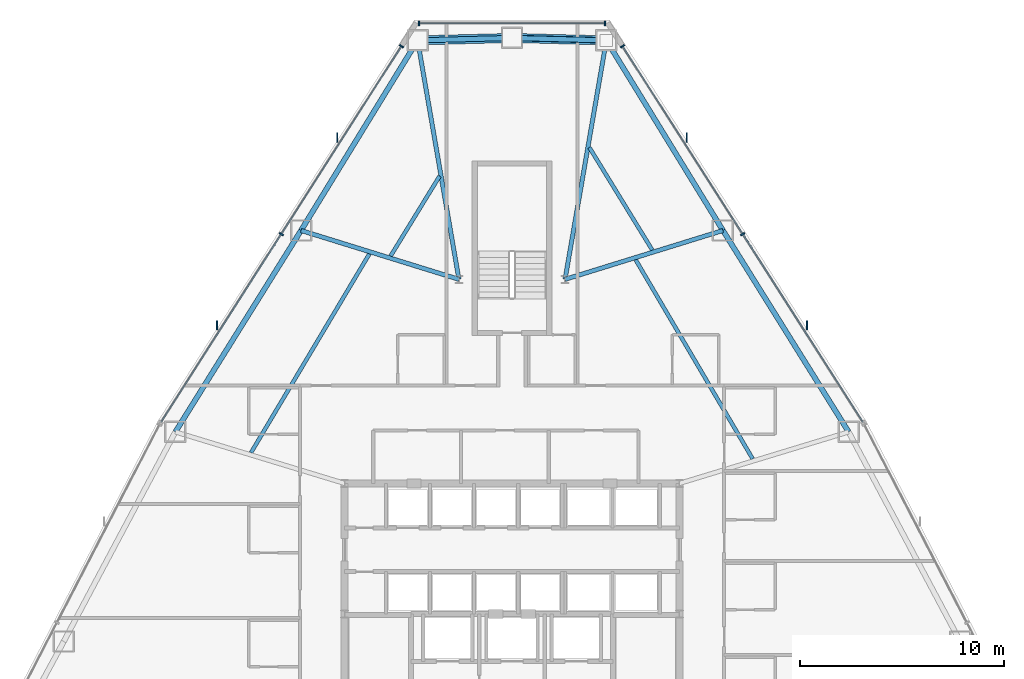
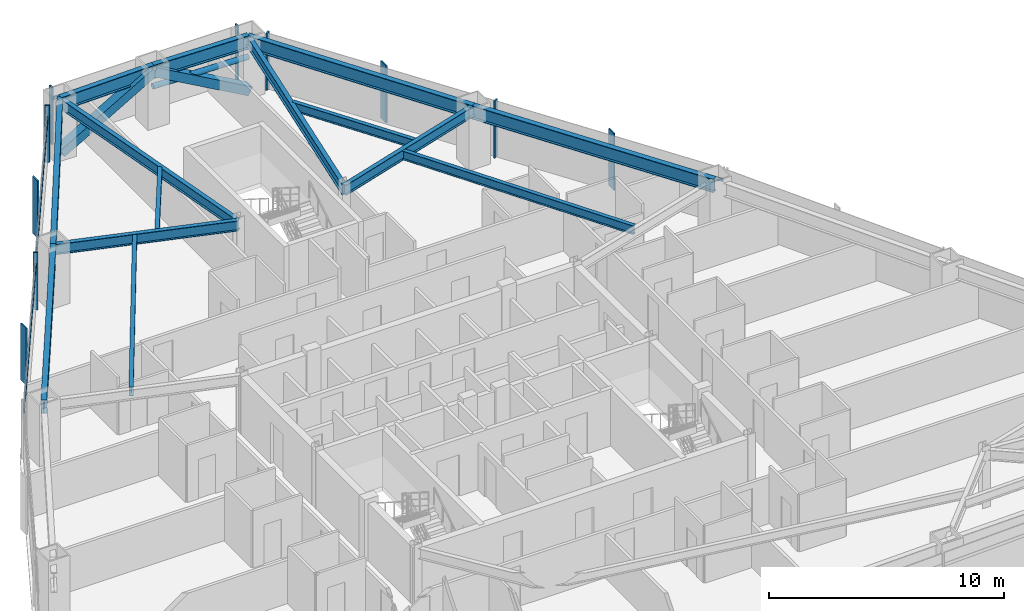
# One storey, part 7 of 13: 16 members, 14 beams, 3 elements without a shape of their own.
"""IFC4 building model written with IfcOpenShell, lengths in metres."""

from ifc_helpers import new_model, si_unit, direction, frame, origin, origin_2d, place, context, subcontext, project, spatial, rectangle, hollow_rectangle, hollow_circle, i_section, extrude, source, transform, mapped, material, layer, layer_set, material_profile, profile_set, type_object, type_shapes, element, aggregate, save


model = new_model("IFC4")

# Units and contexts
model_context = context("Model", 3, precision=1e-05, world=origin(), true_north=direction((0.0, 1.0)))
body_context = subcontext(model_context, "Body", "Model", "MODEL_VIEW")
ifc_project = project(units=[si_unit("LENGTHUNIT", "METRE"), si_unit("AREAUNIT", "SQUARE_METRE"), si_unit("VOLUMEUNIT", "CUBIC_METRE"), si_unit("PLANEANGLEUNIT", "RADIAN"), si_unit("MASSUNIT", "GRAM", prefix="KILO")], contexts=[model_context])

# Site, building, storey
site_placement = place(None, origin())
site = spatial("IfcSite", under=ifc_project, at=site_placement, CompositionType="ELEMENT")
building_placement = place(site_placement, origin())
building = spatial("IfcBuilding", under=site, at=building_placement, Name="Varakhsha Concourse Tower", CompositionType="ELEMENT")
storey_placement = place(building_placement, frame((0.0, 0.0, 86.199951171875)))
storey = spatial("IfcBuildingStorey", under=building, at=storey_placement, Name="L24", CompositionType="ELEMENT", Elevation=86.199951171875)

# Beams
ifc_material_1 = material(Name="Structural Steel ASTM A992 Grade 50", Category="steel")
ifc_material_profile_1 = material_profile(ifc_material_1, i_section(OverallWidth=0.19091796875, OverallDepth=0.45703125, WebThickness=0.009033203125, FlangeThickness=0.013916015625, at=origin_2d()), Name="W18X50")
ifc_profile_set_1 = profile_set([ifc_material_profile_1], Name="Structural Steel ASTM A992 Grade 50")
beam_type_1 = type_object("IfcBeamType", Name="BM-JST-W18X50", PredefinedType="JOIST", material=ifc_profile_set_1)
beam_1_placement = place(storey_placement, frame((36.45166015625, 46.259521484375, 2.741455078125), z_axis=(-0.522781639756, -0.852466631097, 0.0), x_axis=(0.852466631097, -0.522781639756, 0.0)))
element("IfcBeam", 1, at=beam_1_placement, inside=storey, type_object=beam_type_1, Name="BM-TJST-L24-03", PredefinedType="JOIST", context=body_context, shape_type="SweptSolid", body=[
    extrude(i_section(OverallWidth=0.19091796875, OverallDepth=0.45703125, WebThickness=0.009033203125, FlangeThickness=0.013916015625, at=origin_2d()), origin(), (0.0, 0.0, 1.0), 4.58837890625),
])
beam_2_placement = place(storey_placement, frame((33.010498046875, 42.447509765625, 2.741455078125), z_axis=(-0.511661430078, -0.859187162946, 0.0), x_axis=(0.859187162946, -0.511661430078, 0.0)))
element("IfcBeam", 2, at=beam_2_placement, inside=storey, type_object=beam_type_1, Name="BM-TJST-L24-04", PredefinedType="JOIST", context=body_context, shape_type="SweptSolid", body=[
    extrude(i_section(OverallWidth=0.19091796875, OverallDepth=0.45703125, WebThickness=0.009033203125, FlangeThickness=0.013916015625, at=origin_2d()), origin(), (0.0, 0.0, 1.0), 11.335693359375),
])
beam_3_placement = place(storey_placement, frame((51.794677734375, 32.405517578125, 2.741455078125), z_axis=(-0.506799459264, 0.862063981436, 0.0), x_axis=(-0.862063981436, -0.506799459264, 0.0)))
element("IfcBeam", 3, at=beam_3_placement, inside=storey, type_object=beam_type_1, Name="BM-TJST-L24-17", PredefinedType="JOIST", context=body_context, shape_type="SweptSolid", body=[
    extrude(i_section(OverallWidth=0.19091796875, OverallDepth=0.45703125, WebThickness=0.009033203125, FlangeThickness=0.013916015625, at=origin_2d()), origin(), (0.0, 0.0, 1.0), 11.31494140625),
])
beam_4_placement = place(storey_placement, frame((46.875732421875, 42.6357421875, 2.741455078125), z_axis=(-0.522796878119, 0.852457285868, 0.0), x_axis=(-0.852457285868, -0.522796878119, 0.0)))
element("IfcBeam", 4, at=beam_4_placement, inside=storey, type_object=beam_type_1, Name="BM-TJST-L24-18", PredefinedType="JOIST", context=body_context, shape_type="SweptSolid", body=[
    extrude(i_section(OverallWidth=0.19091796875, OverallDepth=0.45703125, WebThickness=0.009033203125, FlangeThickness=0.013916015625, at=origin_2d()), origin(), (0.0, 0.0, 1.0), 5.8994140625),
])
ifc_material_profile_2 = material_profile(ifc_material_1, i_section(OverallWidth=0.2109375, OverallDepth=0.5390625, WebThickness=0.011962890625, FlangeThickness=0.01904296875, at=origin_2d()), Name="W21X73")
ifc_profile_set_2 = profile_set([ifc_material_profile_2], Name="Structural Steel ASTM A992 Grade 50")
beam_type_2 = type_object("IfcBeamType", Name="BM-RAD-W21X73", PredefinedType="BEAM", material=ifc_profile_set_2)
for number, where, z_axis, x_axis, name in (
    (5, (42.60009765625, 41.199951171875, 2.700439453125), (0.170345064454, 0.985384472689, 0.0), (-0.985384472689, 0.170345064454, 0.0), "L24 Radial Floor Girder 01"),
    (6, (37.39990234375, 41.199951171875, 2.700439453125), (-0.170345064454, 0.985384472689, 0.0), (-0.985384472689, -0.170345064454, 0.0), "L24 Radial Floor Girder 03"),
):
    element("IfcBeam", number, at=place(storey_placement, frame(where, z_axis=z_axis, x_axis=x_axis)), inside=storey, type_object=beam_type_2, Name=name, PredefinedType="BEAM", context=body_context, shape_type="SweptSolid", body=[
        extrude(i_section(OverallWidth=0.2109375, OverallDepth=0.5390625, WebThickness=0.011962890625, FlangeThickness=0.01904296875, at=origin_2d()), origin(), (0.0, 0.0, 1.0), 11.8857421875),
    ])
for number, where, z_axis, x_axis, name in (
    (7, (37.39990234375, 41.199951171875, 2.700439453125), (-0.955235202711, 0.295847439573, 0.0), (-0.295847439573, -0.955235202711, 0.0), "L24 Radial Floor Girder 04"),
    (8, (42.60009765625, 41.199951171875, 2.700439453125), (0.955235202711, 0.295847439573, 0.0), (-0.295847439573, 0.955235202711, 0.0), "L24 Radial Floor Girder 18"),
):
    element("IfcBeam", number, at=place(storey_placement, frame(where, z_axis=z_axis, x_axis=x_axis)), inside=storey, type_object=beam_type_2, Name=name, PredefinedType="BEAM", context=body_context, shape_type="SweptSolid", body=[
        extrude(i_section(OverallWidth=0.2109375, OverallDepth=0.5390625, WebThickness=0.011962890625, FlangeThickness=0.01904296875, at=origin_2d()), origin(), (0.0, 0.0, 1.0), 8.100341796875),
    ])
ifc_material_profile_3 = material_profile(ifc_material_1, i_section(OverallWidth=0.25390625, OverallDepth=0.701904296875, WebThickness=0.014892578125, FlangeThickness=0.028076171875, at=origin_2d()), Name="W27X129")
ifc_profile_set_3 = profile_set([ifc_material_profile_3], Name="Structural Steel ASTM A992 Grade 50")
beam_type_3 = type_object("IfcBeamType", Name="BM-SPAN-W27X129", PredefinedType="SPANDREL", material=ifc_profile_set_3)
for number, where, z_axis, x_axis, name in (
    (9, (44.624755859375, 52.911865234375, 2.619140625), (-0.99966833776, 0.025752950896, 0.0), (-0.025752950896, -0.99966833776, 0.0), "BM-SPAN-L24-01"),
    (10, (40.0, 53.031005859375, 2.619140625), (-0.99966833776, -0.025752950896, 0.0), (0.025752950896, -0.99966833776, 0.0), "BM-SPAN-L24-02"),
):
    element("IfcBeam", number, at=place(storey_placement, frame(where, z_axis=z_axis, x_axis=x_axis)), inside=storey, type_object=beam_type_3, Name=name, PredefinedType="SPANDREL", context=body_context, shape_type="SweptSolid", body=[
        extrude(i_section(OverallWidth=0.25390625, OverallDepth=0.701904296875, WebThickness=0.014892578125, FlangeThickness=0.028076171875, at=origin_2d()), origin(), (0.0, 0.0, 1.0), 4.626220703125),
    ])
beam_5_placement = place(storey_placement, frame((35.375244140625, 52.911865234375, 2.619140625), z_axis=(-0.522806691271, -0.852451267559, 0.0), x_axis=(0.852451267559, -0.522806691271, 0.0)))
element("IfcBeam", 11, at=beam_5_placement, inside=storey, type_object=beam_type_3, Name="BM-SPAN-L24-03", PredefinedType="SPANDREL", context=body_context, shape_type="SweptSolid", body=[
    extrude(i_section(OverallWidth=0.25390625, OverallDepth=0.701904296875, WebThickness=0.014892578125, FlangeThickness=0.028076171875, at=origin_2d()), origin(), (0.0, 0.0, 1.0), 10.927734375),
])
for number, where, z_axis, x_axis, name in (
    (12, (29.662109375, 43.596435546875, 2.619140625), (-0.529257520132, -0.848461240944, 0.0), (0.848461240944, -0.529257520132, 0.0), "BM-SPAN-L24-04"),
    (13, (56.49609375, 33.72412109375, 2.619140625), (-0.529257520132, 0.848461240944, 0.0), (-0.848461240944, -0.529257520132, 0.0), "BM-SPAN-L24-17"),
):
    element("IfcBeam", number, at=place(storey_placement, frame(where, z_axis=z_axis, x_axis=x_axis)), inside=storey, type_object=beam_type_3, Name=name, PredefinedType="SPANDREL", context=body_context, shape_type="SweptSolid", body=[
        extrude(i_section(OverallWidth=0.25390625, OverallDepth=0.701904296875, WebThickness=0.014892578125, FlangeThickness=0.028076171875, at=origin_2d()), origin(), (0.0, 0.0, 1.0), 11.635498046875),
    ])
beam_6_placement = place(storey_placement, frame((50.337890625, 43.596435546875, 2.619140625), z_axis=(-0.522806691271, 0.852451267559, 0.0), x_axis=(-0.852451267559, -0.522806691271, 0.0)))
element("IfcBeam", 14, at=beam_6_placement, inside=storey, type_object=beam_type_3, Name="BM-SPAN-L24-18", PredefinedType="SPANDREL", context=body_context, shape_type="SweptSolid", body=[
    extrude(i_section(OverallWidth=0.25390625, OverallDepth=0.701904296875, WebThickness=0.014892578125, FlangeThickness=0.028076171875, at=origin_2d()), origin(), (0.0, 0.0, 1.0), 10.927734375),
])

# Members
ifc_material_2 = material(Name="Structural Steel ASTM A500 Grade C", Category="steel")
ifc_material_profile_4 = material_profile(ifc_material_2, hollow_rectangle(XDim=0.449951171875, YDim=0.449951171875, WallThickness=0.01904296875, at=origin_2d()), Name="HSS 450x450x19")
ifc_profile_set_4 = profile_set([ifc_material_profile_4], Name="Structural Steel ASTM A500 Grade C")
member_type_1 = type_object("IfcMemberType", Name="MB-TUBE-HSS450", PredefinedType="BRACE", material=ifc_profile_set_4)
shared_shape_1 = source(origin(), body_context, "Body", "SweptSolid", [
    extrude(hollow_rectangle(XDim=0.449951171875, YDim=0.449951171875, WallThickness=0.01904296875, at=origin_2d()), origin(), (0.0, 0.0, 1.0), 5.282470703125),
])
type_shapes(member_type_1, [shared_shape_1])
for number, where, z_axis, x_axis, name in (
    (15, (44.624755859375, 52.911865234375, 0.1201171875), (-0.875478294979, 0.022553629729, 0.482730865811), (-0.025752950896, -0.99966833776, 0.0), "L24 Wind-Corner Tube Brace B01"),
    (16, (35.375244140625, 52.911865234375, 0.1201171875), (0.875478294979, 0.022553629729, 0.482730865811), (-0.025752950896, 0.99966833776, 0.0), "L24 Wind-Corner Tube Brace B02"),
):
    element("IfcMember", number, at=place(storey_placement, frame(where, z_axis=z_axis, x_axis=x_axis)), inside=storey, type_object=member_type_1, Name=name, PredefinedType="BRACE", context=body_context, shape_type="MappedRepresentation", body=[
        mapped(shared_shape_1, transform((0.0, 0.0, 0.0), scale=1.0)),
    ])
ifc_material_profile_5 = material_profile(ifc_material_2, hollow_circle(Radius=0.136474609375, WallThickness=0.011962890625, at=origin_2d()), Name="CHS 273x12")
ifc_profile_set_5 = profile_set([ifc_material_profile_5], Name="Structural Steel ASTM A500 Grade C")
member_type_2 = type_object("IfcMemberType", Name="MB-WIND-CHS273", PredefinedType="COLLAR", material=ifc_profile_set_5)
shared_shape_2 = source(origin(), body_context, "Body", "SweptSolid", [
    extrude(hollow_circle(Radius=0.136474609375, WallThickness=0.011962890625, at=origin_2d()), origin(), (0.0, 0.0, 1.0), 4.626220703125),
])
type_shapes(member_type_2, [shared_shape_2])
member_1_placement = place(storey_placement, frame((44.624755859375, 52.911865234375, 1.800048828125), z_axis=(-0.99966833776, 0.025752950896, 0.0), x_axis=(-0.025752950896, -0.99966833776, 0.0)))
element("IfcMember", 17, at=member_1_placement, inside=storey, type_object=member_type_2, Name="L24 Wind-Corner Collar Tie 1", PredefinedType="COLLAR", context=body_context, shape_type="MappedRepresentation", body=[
    mapped(shared_shape_2, transform((0.0, 0.0, 0.0), scale=1.0)),
])

# Curtain wall, members
ifc_material_3 = material(Name="Anodised Bronze Architectural Aluminium AA 6063-T6", Category="aluminium")
ifc_layer = layer(ifc_material_3, 0.199951171875, Name="CW-SYS-03")
ifc_layer_set = layer_set([ifc_layer], Name="Anodised Bronze Architectural Aluminium AA 6063-T6")
curtain_wall_type = type_object("IfcCurtainWallType", Name="CW-SYS-03", PredefinedType="NOTDEFINED", material=ifc_layer_set)
curtain_wall_1_placement = place(storey_placement, origin())
curtain_wall_1 = element("IfcCurtainWall", 18, at=curtain_wall_1_placement, inside=storey, type_object=curtain_wall_type, Name="L24 Chamfer Curtain Wall F1", PredefinedType="NOTDEFINED")
ifc_material_profile_6 = material_profile(ifc_material_3, rectangle(XDim=0.074951171875, YDim=0.219970703125, at=origin_2d()), Name="CWM-220X75")
ifc_profile_set_6 = profile_set([ifc_material_profile_6], Name="Anodised Bronze Architectural Aluminium AA 6063-T6")
member_type_3 = type_object("IfcMemberType", Name="CWM-220X75", PredefinedType="MULLION", material=ifc_profile_set_6)
shared_shape_3 = source(origin(), body_context, "Body", "SweptSolid", [
    extrude(rectangle(XDim=0.074951171875, YDim=0.219970703125, at=origin_2d()), origin(), (0.0, 0.0, 1.0), 2.969970703125),
])
type_shapes(member_type_3, [shared_shape_3])
member_2_placement = place(storey_placement, frame((35.434326171875, 53.7509765625, 0.0), z_axis=(0.0, 0.0, 1.0), x_axis=(1.0, 0.0, 0.0)))
member_2 = element("IfcMember", 19, at=member_2_placement, type_object=member_type_3, Name="CW-L24-F1 Mullion 00", PredefinedType="MULLION", context=body_context, shape_type="MappedRepresentation", body=[
    mapped(shared_shape_3, transform((0.0, 0.0, 0.0), scale=1.0)),
])
member_3_placement = place(storey_placement, frame((44.565673828125, 53.7509765625, 0.0), z_axis=(0.0, 0.0, 1.0), x_axis=(1.0, 0.0, 0.0)))
member_3 = element("IfcMember", 20, at=member_3_placement, type_object=member_type_3, Name="CW-L24-F1 Mullion 01", PredefinedType="MULLION", context=body_context, shape_type="MappedRepresentation", body=[
    mapped(shared_shape_3, transform((0.0, 0.0, 0.0), scale=1.0)),
])

curtain_wall_2_placement = place(storey_placement, origin())
curtain_wall_2 = element("IfcCurtainWall", 21, at=curtain_wall_2_placement, inside=storey, type_object=curtain_wall_type, Name="L24 Crystal Curtain Wall F2", PredefinedType="NOTDEFINED")
member_4_placement = place(storey_placement, frame((28.694580078125, 43.419921875, 0.0), z_axis=(0.0, 0.0, 1.0), x_axis=(0.538786958833, 0.842442053195, 0.0)))
member_4 = element("IfcMember", 22, at=member_4_placement, type_object=member_type_3, Name="CW-L24-F2 Mullion 01", PredefinedType="MULLION", context=body_context, shape_type="MappedRepresentation", body=[
    mapped(shared_shape_3, transform((0.0, 0.0, 0.0), scale=1.0)),
])
member_5_placement = place(storey_placement, frame((34.583984375, 52.62841796875, 0.0), z_axis=(0.0, 0.0, 1.0), x_axis=(0.538786958833, 0.842442053195, 0.0)))
member_5 = element("IfcMember", 23, at=member_5_placement, type_object=member_type_3, Name="CW-L24-F2 Mullion 02", PredefinedType="MULLION", context=body_context, shape_type="MappedRepresentation", body=[
    mapped(shared_shape_3, transform((0.0, 0.0, 0.0), scale=1.0)),
])

curtain_wall_3_placement = place(storey_placement, origin())
curtain_wall_3 = element("IfcCurtainWall", 24, at=curtain_wall_3_placement, inside=storey, type_object=curtain_wall_type, Name="L24 Crystal Curtain Wall F9", PredefinedType="NOTDEFINED")
member_6_placement = place(storey_placement, frame((45.416015625, 52.62841796875, 0.0), z_axis=(0.0, 0.0, 1.0), x_axis=(0.538786958833, -0.842442053195, 0.0)))
member_6 = element("IfcMember", 25, at=member_6_placement, type_object=member_type_3, Name="CW-L24-F9 Mullion 00", PredefinedType="MULLION", context=body_context, shape_type="MappedRepresentation", body=[
    mapped(shared_shape_3, transform((0.0, 0.0, 0.0), scale=1.0)),
])
member_7_placement = place(storey_placement, frame((51.305419921875, 43.419921875, 0.0), z_axis=(0.0, 0.0, 1.0), x_axis=(0.538786958833, -0.842442053195, 0.0)))
member_7 = element("IfcMember", 26, at=member_7_placement, type_object=member_type_3, Name="CW-L24-F9 Mullion 01", PredefinedType="MULLION", context=body_context, shape_type="MappedRepresentation", body=[
    mapped(shared_shape_3, transform((0.0, 0.0, 0.0), scale=1.0)),
])

# Member
ifc_material_profile_7 = material_profile(ifc_material_3, rectangle(XDim=0.06494140625, YDim=0.449951171875, at=origin_2d()), Name="FIN-BRZ-450")
ifc_profile_set_7 = profile_set([ifc_material_profile_7], Name="Anodised Bronze Architectural Aluminium AA 6063-T6")
member_type_4 = type_object("IfcMemberType", Name="FIN-BRZ-450", PredefinedType="USERDEFINED", material=ifc_profile_set_7)
shared_shape_4 = source(origin(), body_context, "Body", "SweptSolid", [
    extrude(rectangle(XDim=0.06494140625, YDim=0.449951171875, at=origin_2d()), origin(), (0.0, 0.0, 1.0), 2.969970703125),
])
type_shapes(member_type_4, [shared_shape_4])
member_8_placement = place(storey_placement, frame((25.5478515625, 38.94482421875, 0.0), z_axis=(0.0, 0.0, 1.0), x_axis=(1.0, 0.0, 0.0)))
member_8 = element("IfcMember", 27, at=member_8_placement, type_object=member_type_4, Name="L24 Anodised Bronze Solar Fin F2-1", ObjectType="SOLAR FIN", PredefinedType="USERDEFINED", context=body_context, shape_type="MappedRepresentation", body=[
    mapped(shared_shape_4, transform((0.0, 0.0, 0.0), scale=1.0)),
])

member_9_placement = place(storey_placement, frame((31.437255859375, 48.153564453125, 0.0), z_axis=(0.0, 0.0, 1.0), x_axis=(1.0, 0.0, 0.0)))
member_9 = element("IfcMember", 28, at=member_9_placement, type_object=member_type_4, Name="L24 Anodised Bronze Solar Fin F2-2", ObjectType="SOLAR FIN", PredefinedType="USERDEFINED", context=body_context, shape_type="MappedRepresentation", body=[
    mapped(shared_shape_4, transform((0.0, 0.0, 0.0), scale=1.0)),
])

member_10_placement = place(storey_placement, frame((48.562744140625, 48.153564453125, 0.0), z_axis=(0.0, 0.0, 1.0), x_axis=(1.0, 0.0, 0.0)))
member_10 = element("IfcMember", 29, at=member_10_placement, type_object=member_type_4, Name="L24 Anodised Bronze Solar Fin F9-1", ObjectType="SOLAR FIN", PredefinedType="USERDEFINED", context=body_context, shape_type="MappedRepresentation", body=[
    mapped(shared_shape_4, transform((0.0, 0.0, 0.0), scale=1.0)),
])

member_11_placement = place(storey_placement, frame((54.4521484375, 38.94482421875, 0.0), z_axis=(0.0, 0.0, 1.0), x_axis=(1.0, 0.0, 0.0)))
member_11 = element("IfcMember", 30, at=member_11_placement, type_object=member_type_4, Name="L24 Anodised Bronze Solar Fin F9-2", ObjectType="SOLAR FIN", PredefinedType="USERDEFINED", context=body_context, shape_type="MappedRepresentation", body=[
    mapped(shared_shape_4, transform((0.0, 0.0, 0.0), scale=1.0)),
])

ifc_material_profile_8 = material_profile(ifc_material_3, rectangle(XDim=0.06494140625, YDim=0.159912109375, at=origin_2d()), Name="CWT-160X65")
ifc_profile_set_8 = profile_set([ifc_material_profile_8], Name="Anodised Bronze Architectural Aluminium AA 6063-T6")
member_type_5 = type_object("IfcMemberType", Name="CWT-160X65", PredefinedType="USERDEFINED", material=ifc_profile_set_8)
shared_shape_5 = source(origin(), body_context, "Body", "SweptSolid", [
    extrude(rectangle(XDim=0.06494140625, YDim=0.159912109375, at=origin_2d()), origin(), (0.0, 0.0, 1.0), 9.13134765625),
])
member_12_placement = place(storey_placement, frame((35.434326171875, 53.7509765625, 2.320068359375), z_axis=(1.0, 0.0, 0.0), x_axis=(0.0, 1.0, 0.0)))
member_12 = element("IfcMember", 31, at=member_12_placement, type_object=member_type_5, Name="CW-L24-F1 Transom 01", ObjectType="TRANSOM", PredefinedType="USERDEFINED", context=body_context, shape_type="MappedRepresentation", body=[
    mapped(shared_shape_5, transform((0.0, 0.0, 0.0), scale=1.0)),
])

aggregate(curtain_wall_1, [member_2, member_3, member_12])

shared_shape_6 = source(origin(), body_context, "Body", "SweptSolid", [
    extrude(rectangle(XDim=0.06494140625, YDim=0.159912109375, at=origin_2d()), origin(), (0.0, 0.0, 1.0), 21.861572265625),
])
type_shapes(member_type_5, [shared_shape_5, shared_shape_6])
member_13_placement = place(storey_placement, frame((22.805419921875, 34.211181640625, 2.320068359375), z_axis=(0.538778915353, 0.842447197378, 0.0), x_axis=(-0.842447197378, 0.538778915353, 0.0)))
member_13 = element("IfcMember", 32, at=member_13_placement, type_object=member_type_5, Name="CW-L24-F2 Transom 01", ObjectType="TRANSOM", PredefinedType="USERDEFINED", context=body_context, shape_type="MappedRepresentation", body=[
    mapped(shared_shape_6, transform((0.0, 0.0, 0.0), scale=1.0)),
])

aggregate(curtain_wall_2, [member_4, member_5, member_13, member_8, member_9])

member_14_placement = place(storey_placement, frame((45.416015625, 52.62841796875, 2.320068359375), z_axis=(0.538778915353, -0.842447197378, 0.0), x_axis=(0.842447197378, 0.538778915353, 0.0)))
member_14 = element("IfcMember", 33, at=member_14_placement, type_object=member_type_5, Name="CW-L24-F9 Transom 01", ObjectType="TRANSOM", PredefinedType="USERDEFINED", context=body_context, shape_type="MappedRepresentation", body=[
    mapped(shared_shape_6, transform((0.0, 0.0, 0.0), scale=1.0)),
])

aggregate(curtain_wall_3, [member_6, member_7, member_14, member_10, member_11])

save(model, "model.ifc")
